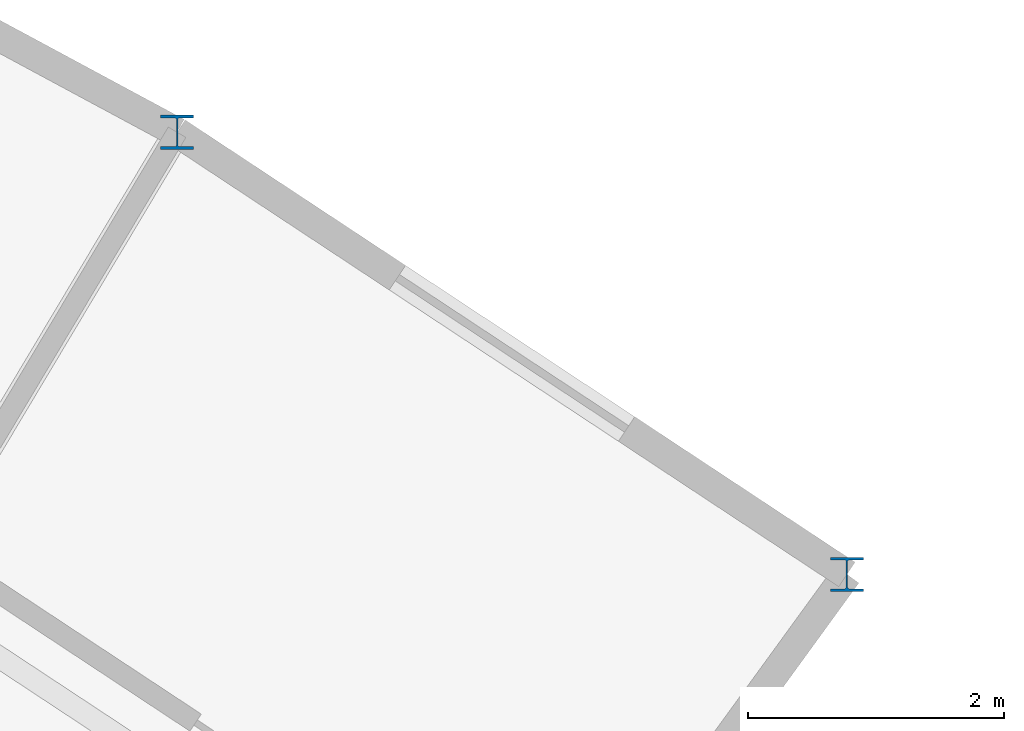
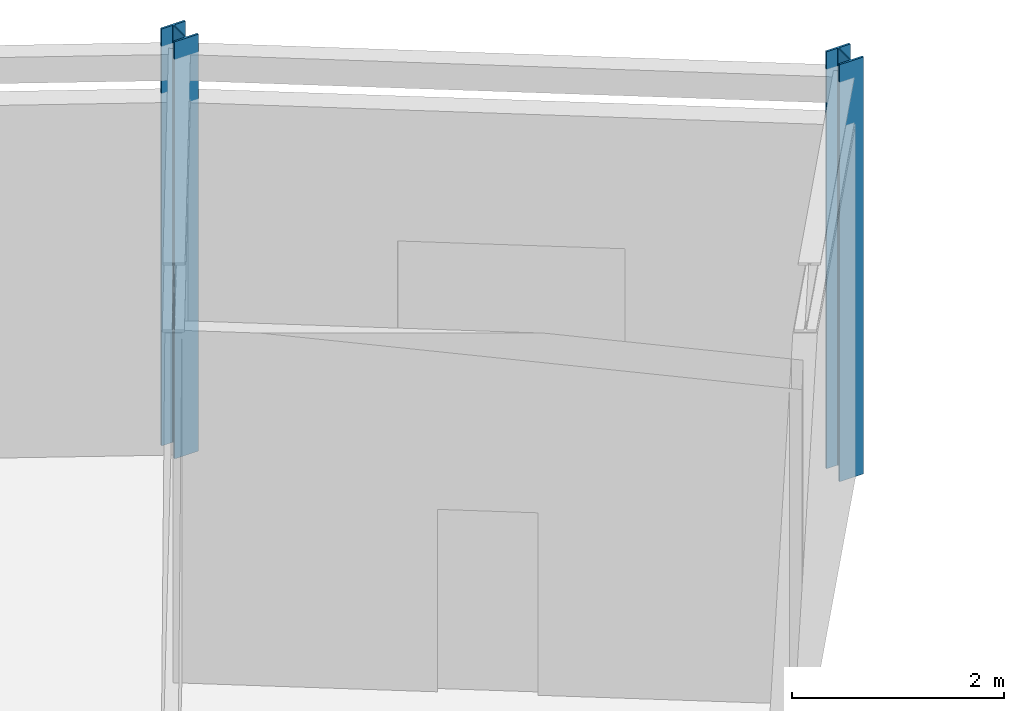
# One storey, part 16 of 105: 2 columns.
"""IFC4 building model written with IfcOpenShell, lengths in metres."""

import ifcopenshell
import ifcopenshell.guid

model = None  # the IFC model being written
_history = None  # IfcOwnerHistory: only IFC2X3 demands one
_inside = {}  # id of a spatial element -> (the spatial element, [elements in it])
_under = {}  # id of a project, library or spatial element -> (it, [spatial elements below it])
_declared = {}  # id of a project -> (the project, [libraries it declares])
_typed = {}  # id of a type object -> (the type object, [elements of that type])
_made_of = {}  # id of a material, layer set ... -> (it, [elements and type objects made of it])


def new_model(schema):
    """Start an empty IFC model of exactly this schema.

    Asked for "IFC4X3", IfcOpenShell would pick the latest addendum, in which some entities
    have other attributes; the version numbers below select the first issue.
    IFC2X3 requires an IfcOwnerHistory on every rooted entity: one is made here for all.
    """
    global model, _history
    if schema == "IFC4X3":
        model = ifcopenshell.file(schema_version=(4, 3, 0, 0))
    else:
        model = ifcopenshell.file(schema=schema)
    _inside.clear()
    _under.clear()
    _declared.clear()
    _typed.clear()
    _made_of.clear()
    _history = None
    if model.schema == "IFC2X3":
        org = make("IfcOrganization", Name="unknown")
        user = make(
            "IfcPersonAndOrganization",
            ThePerson=make("IfcPerson", FamilyName="unknown"),
            TheOrganization=org,
        )
        app = make(
            "IfcApplication",
            ApplicationDeveloper=org,
            Version="unknown",
            ApplicationFullName="unknown",
            ApplicationIdentifier="unknown",
        )
        _history = make(
            "IfcOwnerHistory",
            OwningUser=user,
            OwningApplication=app,
            ChangeAction="ADDED",
            CreationDate=0,
        )
    return model


def make(cls, **values):
    """One entity of the class cls with the attributes given. An attribute that is None is left unset."""
    return model.create_entity(
        cls, **{name: value for name, value in values.items() if value is not None}
    )


def rooted(cls, **values):
    """An entity with a GlobalId (a new one), such as an element, a storey or a relation."""
    return make(cls, GlobalId=ifcopenshell.guid.new(), OwnerHistory=_history, **values)


def si_unit(unit_type, name, prefix=None):
    """IfcSIUnit, for example si_unit("LENGTHUNIT", "METRE", prefix="MILLI")."""
    return make("IfcSIUnit", UnitType=unit_type, Prefix=prefix, Name=name)


def assignment(units):
    """IfcUnitAssignment: the units of a project."""
    return None if units is None else make("IfcUnitAssignment", Units=units)


def point(xyz):
    """IfcCartesianPoint."""
    return None if xyz is None else make("IfcCartesianPoint", Coordinates=xyz)


def direction(xyz):
    """IfcDirection."""
    return None if xyz is None else make("IfcDirection", DirectionRatios=xyz)


def frame(location, z_axis=None, x_axis=None):
    """IfcAxis2Placement3D, a coordinate frame: its origin and axes. An axis left out is left unset."""
    return make(
        "IfcAxis2Placement3D",
        Location=point(location),
        Axis=direction(z_axis),
        RefDirection=direction(x_axis),
    )


def frame_2d(location, x_axis=None):
    """IfcAxis2Placement2D, a coordinate frame in the plane: its origin and x axis."""
    return make(
        "IfcAxis2Placement2D", Location=point(location), RefDirection=direction(x_axis)
    )


def origin():
    """The frame at (0, 0, 0) with its axes left unset."""
    return frame((0.0, 0.0, 0.0))


def origin_2d():
    """The frame at (0, 0) in the plane with its x axis left unset."""
    return frame_2d((0.0, 0.0))


def place(relative_to, where):
    """IfcLocalPlacement: puts the frame where relative to a parent placement (None: the world)."""
    return make(
        "IfcLocalPlacement", PlacementRelTo=relative_to, RelativePlacement=where
    )


def context(
    kind, dimensions, precision=None, world=None, true_north=None, identifier=None
):
    """IfcGeometricRepresentationContext, for example the 3D "Model" context."""
    return make(
        "IfcGeometricRepresentationContext",
        ContextIdentifier=identifier,
        ContextType=kind,
        CoordinateSpaceDimension=dimensions,
        Precision=precision,
        WorldCoordinateSystem=world,
        TrueNorth=true_north,
    )


def subcontext(parent, identifier, kind, view, scale=None):
    """IfcGeometricRepresentationSubContext, for example "Body" below "Model"."""
    return make(
        "IfcGeometricRepresentationSubContext",
        ContextIdentifier=identifier,
        ContextType=kind,
        ParentContext=parent,
        TargetScale=scale,
        TargetView=view,
    )


def project(units=None, contexts=None):
    """IfcProject with its units and contexts."""
    return rooted(
        "IfcProject",
        Name="project",
        RepresentationContexts=contexts,
        UnitsInContext=assignment(units),
    )


def spatial(cls, under=None, at=None, **own):
    """A site, building, storey or space (cls), placed at a placement, below another one or the project."""
    s = rooted(cls, ObjectPlacement=at, **own)
    if under is not None:
        _under.setdefault(under.id(), (under, []))[1].append(s)
    return s


def profile(cls, at=None, kind="AREA", **sizes):
    """A parametric profile (cls). Its sizes go by their IFC names, for example OverallWidth=200.0."""
    return make(cls, ProfileType=kind, Position=at, **sizes)


def i_section(**sizes):
    """IfcIShapeProfileDef."""
    return profile("IfcIShapeProfileDef", **sizes)


def extrude(swept, where, along, depth):
    """IfcExtrudedAreaSolid: the profile swept, set in the frame where, extruded along a direction by depth."""
    return make(
        "IfcExtrudedAreaSolid",
        SweptArea=swept,
        Position=where,
        ExtrudedDirection=direction(along),
        Depth=depth,
    )


def shape(context_of_items, identifier, shape_type, items):
    """IfcShapeRepresentation: the items that make up one representation, for example the "Body"."""
    return make(
        "IfcShapeRepresentation",
        ContextOfItems=context_of_items,
        RepresentationIdentifier=identifier,
        RepresentationType=shape_type,
        Items=items,
    )


def material(Name=None, Category=None):
    """IfcMaterial."""
    return make("IfcMaterial", Name=Name, Category=Category)


def material_profile(
    of_material, cross_section, Name=None, Category=None, Priority=None
):
    """IfcMaterialProfile: a cross section and its material."""
    return make(
        "IfcMaterialProfile",
        Name=Name,
        Material=of_material,
        Profile=cross_section,
        Priority=Priority,
        Category=Category,
    )


def profile_set(profiles, Name=None, composite=None):
    """IfcMaterialProfileSet."""
    return make(
        "IfcMaterialProfileSet",
        Name=Name,
        MaterialProfiles=profiles,
        CompositeProfile=composite,
    )


def made_of(thing, what):
    """Note that an element or type object is made of a material, layer set ...; save() writes the relation."""
    if what is not None:
        _made_of.setdefault(what.id(), (what, []))[1].append(thing)
    return thing


def type_object(cls, material=None, **own):
    """A type object (cls), such as IfcWallType, which elements share."""
    return made_of(rooted(cls, **own), material)


def element(
    cls,
    number,
    at=None,
    inside=None,
    cuts=None,
    type_object=None,
    material=None,
    context=None,
    identifier="Body",
    shape_type=None,
    held_by="IfcProductDefinitionShape",
    body=None,
    shapes=None,
    **own,
):
    """One element of the class cls, such as IfcWall. Its Tag is "e" and its number.

    at: its placement. inside: the storey or other place that contains it. cuts: it is an
    opening in that element (IfcRelVoidsElement). A single representation is given by context,
    identifier, shape_type and body (its items); several are given by shapes. held_by: the class
    of the entity that holds the representations. save() writes the other relations.
    """
    e = rooted(cls, Tag="e%d" % number, ObjectPlacement=at, **own)
    if body is not None:
        shapes = [shape(context, identifier, shape_type, body)]
    if shapes is not None:
        e.Representation = make(held_by, Representations=shapes)
    if inside is not None:
        _inside.setdefault(inside.id(), (inside, []))[1].append(e)
    if cuts is not None:
        rooted(
            "IfcRelVoidsElement", RelatingBuildingElement=cuts, RelatedOpeningElement=e
        )
    if type_object is not None:
        _typed.setdefault(type_object.id(), (type_object, []))[1].append(e)
    return made_of(e, material)


def aggregate(whole, parts):
    """IfcRelAggregates: a whole, such as a stair, and the parts it consists of."""
    return rooted("IfcRelAggregates", RelatingObject=whole, RelatedObjects=parts)


def save(model, path):
    """Write the relations noted so far, then the file.

    IfcRelAggregates (storeys below a building ...), IfcRelContainedInSpatialStructure (elements
    in a storey), IfcRelDefinesByType, IfcRelAssociatesMaterial and IfcRelDeclares: one each for
    every whole, place, type object, material and project.
    """
    for whole, parts in _under.values():
        aggregate(whole, parts)
    for where, things in _inside.values():
        rooted(
            "IfcRelContainedInSpatialStructure",
            RelatedElements=things,
            RelatingStructure=where,
        )
    for kind, things in _typed.values():
        rooted("IfcRelDefinesByType", RelatedObjects=things, RelatingType=kind)
    for what, things in _made_of.values():
        rooted("IfcRelAssociatesMaterial", RelatedObjects=things, RelatingMaterial=what)
    for by, libraries in _declared.values():
        rooted("IfcRelDeclares", RelatingContext=by, RelatedDefinitions=libraries)
    model.write(path)


model = new_model("IFC4")

# Units and contexts
model_context = context("Model", 3, precision=1e-05, world=origin(), true_north=direction((0.0, 1.0)))
body_context = subcontext(model_context, "Body", "Model", "MODEL_VIEW")
ifc_project = project(units=[si_unit("LENGTHUNIT", "METRE"), si_unit("AREAUNIT", "SQUARE_METRE"), si_unit("VOLUMEUNIT", "CUBIC_METRE"), si_unit("PLANEANGLEUNIT", "RADIAN"), si_unit("MASSUNIT", "GRAM", prefix="KILO")], contexts=[model_context])

# Site, building, storey
site_placement = place(None, origin())
site = spatial("IfcSite", under=ifc_project, at=site_placement, CompositionType="ELEMENT")
building_placement = place(site_placement, origin())
building = spatial("IfcBuilding", under=site, at=building_placement, Name="Selat Folded Stagehouse", CompositionType="ELEMENT")
storey_placement = place(building_placement, frame((0.0, 0.0, 10.199951171875)))
storey = spatial("IfcBuildingStorey", under=building, at=storey_placement, Name="L02", CompositionType="ELEMENT", Elevation=10.199951171875)

# Columns
ifc_material = material(Name="Steel S355", Category="steel")
ifc_material_profile = material_profile(ifc_material, i_section(OverallWidth=0.2587890625, OverallDepth=0.2666015625, WebThickness=0.0126953125, FlangeThickness=0.0205078125, FilletRadius=0.0126953125, at=origin_2d()), Name="UKC 254x254x107")
ifc_profile_set = profile_set([ifc_material_profile], Name="Steel S355")
column_type = type_object("IfcColumnType", Name="COL-UKC-254x254x107", PredefinedType="COLUMN", material=ifc_profile_set)
for number, where, z_axis, x_axis, name in (
    (1, (128.302978515625, 98.09130859375, 0.0), (0.0, 0.0, 1.0), (1.0, 0.0, 0.0), "L02 column STK-V6OUT-13"),
    (2, (133.544921875, 94.631103515625, 0.0), (0.0, 0.0, 1.0), (1.0, 0.0, 0.0), "L02 column STK-V6OUT-14"),
):
    element("IfcColumn", number, at=place(storey_placement, frame(where, z_axis=z_axis, x_axis=x_axis)), inside=storey, type_object=column_type, Name=name, PredefinedType="COLUMN", context=body_context, shape_type="SweptSolid", body=[
        extrude(i_section(OverallWidth=0.2587890625, OverallDepth=0.2666015625, WebThickness=0.0126953125, FlangeThickness=0.0205078125, FilletRadius=0.0126953125, at=origin_2d()), origin(), (0.0, 0.0, 1.0), 4.800048828125),
    ])

save(model, "model.ifc")
